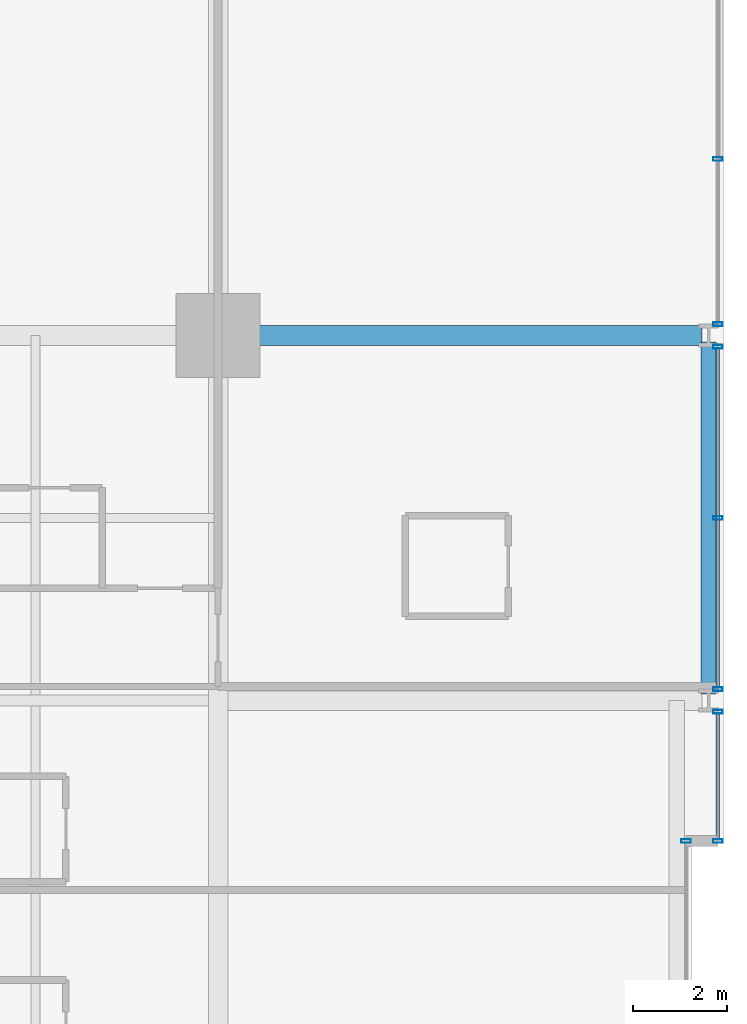
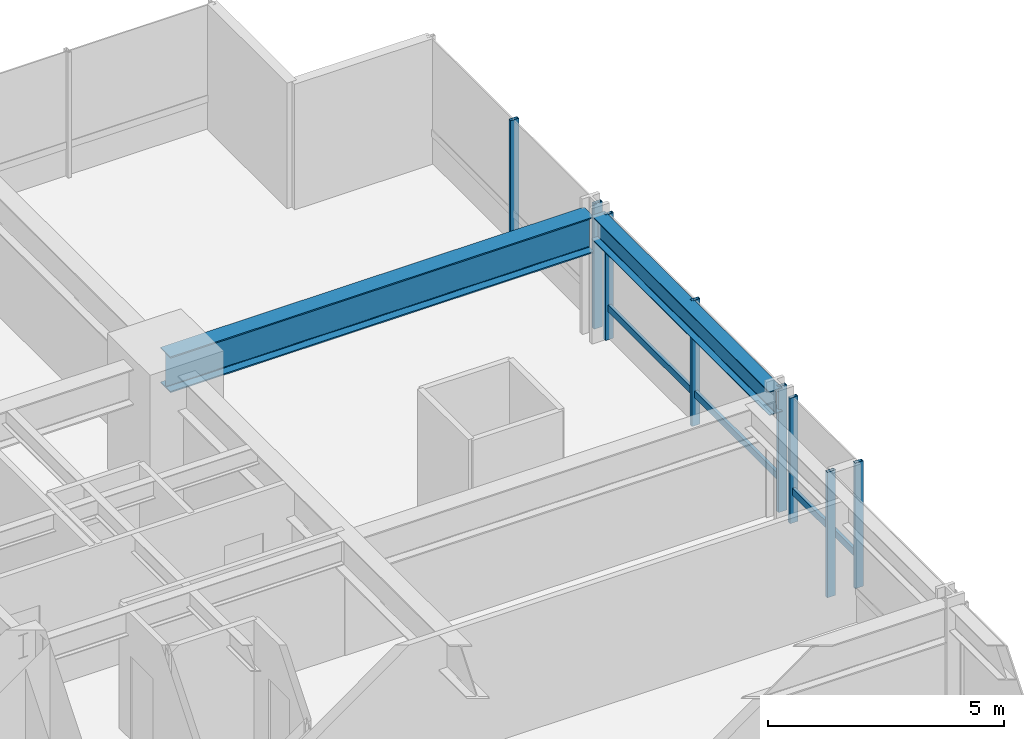
# One storey, part 25 of 39: 10 members, 2 beams, 4 elements without a shape of their own.
"""IFC4 building model written with IfcOpenShell, lengths in metres."""

from ifc_helpers import new_model, si_unit, direction, frame, origin, origin_2d, place, context, subcontext, project, spatial, hollow_rectangle, i_section, extrude, material, layer, layer_set, material_profile, profile_set, type_object, element, aggregate, save


model = new_model("IFC4")

# Units and contexts
model_context = context("Model", 3, precision=1e-05, world=origin(), true_north=direction((0.0, 1.0)))
body_context = subcontext(model_context, "Body", "Model", "MODEL_VIEW")
ifc_project = project(units=[si_unit("LENGTHUNIT", "METRE"), si_unit("AREAUNIT", "SQUARE_METRE"), si_unit("VOLUMEUNIT", "CUBIC_METRE"), si_unit("PLANEANGLEUNIT", "RADIAN"), si_unit("MASSUNIT", "GRAM", prefix="KILO")], contexts=[model_context])

# Site, building, storey
site_placement = place(None, origin())
site = spatial("IfcSite", under=ifc_project, at=site_placement, CompositionType="ELEMENT")
building_placement = place(site_placement, origin())
building = spatial("IfcBuilding", under=site, at=building_placement, Name="Drelvath Grand Hotel", CompositionType="ELEMENT")
storey_placement = place(building_placement, frame((0.0, 0.0, 40.199951171875)))
storey = spatial("IfcBuildingStorey", under=building, at=storey_placement, Name="L08", CompositionType="ELEMENT", Elevation=40.199951171875)

# Curtain wall, member
ifc_material_1 = material(Name="Warm Bronze Anodised Aluminium Frame", Category="aluminium")
ifc_layer = layer(ifc_material_1, 0.199951171875)
ifc_layer_set = layer_set([ifc_layer], Name="Warm Bronze Anodised Aluminium Frame")
curtain_wall_type = type_object("IfcCurtainWallType", Name="Stick Curtain Wall CW-02 Warm Bronze Low-Rise", PredefinedType="NOTDEFINED", material=ifc_layer_set)
curtain_wall_1_placement = place(storey_placement, origin())
curtain_wall_1 = element("IfcCurtainWall", 1, at=curtain_wall_1_placement, inside=storey, type_object=curtain_wall_type, Name="L08 CW-02 Curtain Wall CW02-L08-EN1", PredefinedType="NOTDEFINED")
ifc_material_profile_1 = material_profile(ifc_material_1, hollow_rectangle(XDim=0.074951171875, YDim=0.179931640625, WallThickness=0.0048828125, at=origin_2d()), Name="HSS180X75X5")
ifc_profile_set_1 = profile_set([ifc_material_profile_1], Name="Warm Bronze Anodised Aluminium Frame")
member_type_1 = type_object("IfcMemberType", Name="Curtain Wall Horizontal Transom CW-02 HSS180X75X5", PredefinedType="USERDEFINED", material=ifc_profile_set_1)
member_1_placement = place(storey_placement, frame((26.8798828125, 35.119140625, 0.81005859375), z_axis=(0.0, -1.0, 0.0), x_axis=(1.0, 0.0, 0.0)))
member_1 = element("IfcMember", 2, at=member_1_placement, type_object=member_type_1, Name="CW02-L08-EN1 Sill Transom", ObjectType="TRANSOM", PredefinedType="USERDEFINED", context=body_context, shape_type="SweptSolid", body=[
    extrude(hollow_rectangle(XDim=0.074951171875, YDim=0.179931640625, WallThickness=0.0048828125, at=origin_2d()), origin(), (0.0, 0.0, 1.0), 2.67919921875),
])

curtain_wall_2_placement = place(storey_placement, origin())
curtain_wall_2 = element("IfcCurtainWall", 3, at=curtain_wall_2_placement, inside=storey, type_object=curtain_wall_type, Name="L08 CW-02 Curtain Wall CW02-L08-EN2", PredefinedType="NOTDEFINED")
member_2_placement = place(storey_placement, frame((26.8798828125, 42.919189453125, 0.81005859375), z_axis=(0.0, -1.0, 0.0), x_axis=(1.0, 0.0, 0.0)))
member_2 = element("IfcMember", 4, at=member_2_placement, type_object=member_type_1, Name="CW02-L08-EN2 Sill Transom", ObjectType="TRANSOM", PredefinedType="USERDEFINED", context=body_context, shape_type="SweptSolid", body=[
    extrude(hollow_rectangle(XDim=0.074951171875, YDim=0.179931640625, WallThickness=0.0048828125, at=origin_2d()), origin(), (0.0, 0.0, 1.0), 7.23828125),
])

# Member
ifc_material_profile_2 = material_profile(ifc_material_1, hollow_rectangle(XDim=0.080078125, YDim=0.199951171875, WallThickness=0.0048828125, at=origin_2d()), Name="HSS200X80X5")
ifc_profile_set_2 = profile_set([ifc_material_profile_2], Name="Warm Bronze Anodised Aluminium Frame")
member_type_2 = type_object("IfcMemberType", Name="Curtain Wall Vertical Mullion CW-02 HSS200X80X5", PredefinedType="MULLION", material=ifc_profile_set_2)
member_3_placement = place(storey_placement, frame((26.8798828125, 35.1591796875, 0.0), z_axis=(0.0, 0.0, 1.0), x_axis=(0.0, 1.0, 0.0)))
member_3 = element("IfcMember", 5, at=member_3_placement, type_object=member_type_2, Name="CW02-L08-EN1 Mullion 1", PredefinedType="MULLION", context=body_context, shape_type="SweptSolid", body=[
    extrude(hollow_rectangle(XDim=0.080078125, YDim=0.199951171875, WallThickness=0.0048828125, at=origin_2d()), origin(), (0.0, 0.0, 1.0), 3.239990234375),
])

member_4_placement = place(storey_placement, frame((26.8798828125, 32.39990234375, 0.0), z_axis=(0.0, 0.0, 1.0), x_axis=(0.0, 1.0, 0.0)))
member_4 = element("IfcMember", 6, at=member_4_placement, type_object=member_type_2, Name="CW02-L08-EN1 Mullion 2", PredefinedType="MULLION", context=body_context, shape_type="SweptSolid", body=[
    extrude(hollow_rectangle(XDim=0.080078125, YDim=0.199951171875, WallThickness=0.0048828125, at=origin_2d()), origin(), (0.0, 0.0, 1.0), 3.239990234375),
])

aggregate(curtain_wall_1, [member_3, member_4, member_1])

member_5_placement = place(storey_placement, frame((26.8798828125, 42.958984375, 0.0), z_axis=(0.0, 0.0, 1.0), x_axis=(0.0, 1.0, 0.0)))
member_5 = element("IfcMember", 7, at=member_5_placement, type_object=member_type_2, Name="CW02-L08-EN2 Mullion 1", PredefinedType="MULLION", context=body_context, shape_type="SweptSolid", body=[
    extrude(hollow_rectangle(XDim=0.080078125, YDim=0.199951171875, WallThickness=0.0048828125, at=origin_2d()), origin(), (0.0, 0.0, 1.0), 3.239990234375),
])

member_6_placement = place(storey_placement, frame((26.8798828125, 39.300048828125, 0.0), z_axis=(0.0, 0.0, 1.0), x_axis=(0.0, 1.0, 0.0)))
member_6 = element("IfcMember", 8, at=member_6_placement, type_object=member_type_2, Name="CW02-L08-EN2 Mullion 2", PredefinedType="MULLION", context=body_context, shape_type="SweptSolid", body=[
    extrude(hollow_rectangle(XDim=0.080078125, YDim=0.199951171875, WallThickness=0.0048828125, at=origin_2d()), origin(), (0.0, 0.0, 1.0), 3.239990234375),
])

member_7_placement = place(storey_placement, frame((26.8798828125, 35.640869140625, 0.0), z_axis=(0.0, 0.0, 1.0), x_axis=(0.0, 1.0, 0.0)))
member_7 = element("IfcMember", 9, at=member_7_placement, type_object=member_type_2, Name="CW02-L08-EN2 Mullion 3", PredefinedType="MULLION", context=body_context, shape_type="SweptSolid", body=[
    extrude(hollow_rectangle(XDim=0.080078125, YDim=0.199951171875, WallThickness=0.0048828125, at=origin_2d()), origin(), (0.0, 0.0, 1.0), 3.239990234375),
])

aggregate(curtain_wall_2, [member_5, member_6, member_7, member_2])

# Curtain wall, members
curtain_wall_3_placement = place(storey_placement, origin())
curtain_wall_3 = element("IfcCurtainWall", 10, at=curtain_wall_3_placement, inside=storey, type_object=curtain_wall_type, Name="L08 CW-02 Curtain Wall CW02-L08-EN3", PredefinedType="NOTDEFINED")
member_8_placement = place(storey_placement, frame((26.8798828125, 46.970458984375, 0.0), z_axis=(0.0, 0.0, 1.0), x_axis=(0.0, 1.0, 0.0)))
member_8 = element("IfcMember", 11, at=member_8_placement, type_object=member_type_2, Name="CW02-L08-EN3 Mullion 2", PredefinedType="MULLION", context=body_context, shape_type="SweptSolid", body=[
    extrude(hollow_rectangle(XDim=0.080078125, YDim=0.199951171875, WallThickness=0.0048828125, at=origin_2d()), origin(), (0.0, 0.0, 1.0), 3.239990234375),
])
member_9_placement = place(storey_placement, frame((26.8798828125, 43.44091796875, 0.0), z_axis=(0.0, 0.0, 1.0), x_axis=(0.0, 1.0, 0.0)))
member_9 = element("IfcMember", 12, at=member_9_placement, type_object=member_type_2, Name="CW02-L08-EN3 Mullion 3", PredefinedType="MULLION", context=body_context, shape_type="SweptSolid", body=[
    extrude(hollow_rectangle(XDim=0.080078125, YDim=0.199951171875, WallThickness=0.0048828125, at=origin_2d()), origin(), (0.0, 0.0, 1.0), 3.239990234375),
])
aggregate(curtain_wall_3, [member_8, member_9])

# Curtain wall, member
curtain_wall_4_placement = place(storey_placement, origin())
curtain_wall_4 = element("IfcCurtainWall", 13, at=curtain_wall_4_placement, inside=storey, type_object=curtain_wall_type, Name="L08 CW-02 Curtain Wall CW02-L08-EM2", PredefinedType="NOTDEFINED")
member_10_placement = place(storey_placement, frame((26.199951171875, 32.39990234375, 0.0), z_axis=(0.0, 0.0, 1.0), x_axis=(0.0, 1.0, 0.0)))
member_10 = element("IfcMember", 14, at=member_10_placement, type_object=member_type_2, Name="CW02-L08-EM2 Mullion 1", PredefinedType="MULLION", context=body_context, shape_type="SweptSolid", body=[
    extrude(hollow_rectangle(XDim=0.080078125, YDim=0.199951171875, WallThickness=0.0048828125, at=origin_2d()), origin(), (0.0, 0.0, 1.0), 3.239990234375),
])
aggregate(curtain_wall_4, [member_10])

# Beams
ifc_material_2 = material(Name="Steel ASTM A992 Gr 50", Category="steel")
ifc_material_profile_3 = material_profile(ifc_material_2, i_section(OverallWidth=0.323974609375, OverallDepth=0.611083984375, WebThickness=0.0126953125, FlangeThickness=0.01904296875, FilletRadius=0.02197265625, at=origin_2d()), Name="W24X104")
ifc_profile_set_3 = profile_set([ifc_material_profile_3], Name="Steel ASTM A992 Gr 50")
beam_type_1 = type_object("IfcBeamType", Name="Perimeter Spandrel Beam W24X104", PredefinedType="SPANDREL", material=ifc_profile_set_3)
beam_1_placement = place(storey_placement, frame((26.679931640625, 35.5400390625, 2.9345703125), z_axis=(0.0, 1.0, 0.0), x_axis=(-1.0, 0.0, 0.0)))
element("IfcBeam", 15, at=beam_1_placement, inside=storey, type_object=beam_type_1, Name="L08 Spandrel East N", PredefinedType="SPANDREL", context=body_context, shape_type="SweptSolid", body=[
    extrude(i_section(OverallWidth=0.323974609375, OverallDepth=0.611083984375, WebThickness=0.0126953125, FlangeThickness=0.01904296875, FilletRadius=0.02197265625, at=origin_2d()), origin(), (0.0, 0.0, 1.0), 7.52001953125),
])
ifc_material_profile_4 = material_profile(ifc_material_2, i_section(OverallWidth=0.418212890625, OverallDepth=0.926513671875, WebThickness=0.019287109375, FlangeThickness=0.031982421875, FilletRadius=0.028076171875, at=origin_2d()), Name="W36X231")
ifc_profile_set_4 = profile_set([ifc_material_profile_4], Name="Steel ASTM A992 Gr 50")
beam_type_2 = type_object("IfcBeamType", Name="Primary Floor Girder W36X231", PredefinedType="BEAM", material=ifc_profile_set_4)
beam_2_placement = place(storey_placement, frame((16.199951171875, 43.199951171875, 2.77685546875), z_axis=(1.0, 0.0, 0.0), x_axis=(0.0, 1.0, 0.0)))
element("IfcBeam", 16, at=beam_2_placement, inside=storey, type_object=beam_type_2, Name="L08 East Grid Girder G", PredefinedType="BEAM", context=body_context, shape_type="SweptSolid", body=[
    extrude(i_section(OverallWidth=0.418212890625, OverallDepth=0.926513671875, WebThickness=0.019287109375, FlangeThickness=0.031982421875, FilletRadius=0.028076171875, at=origin_2d()), origin(), (0.0, 0.0, 1.0), 10.340087890625),
])

save(model, "model.ifc")
